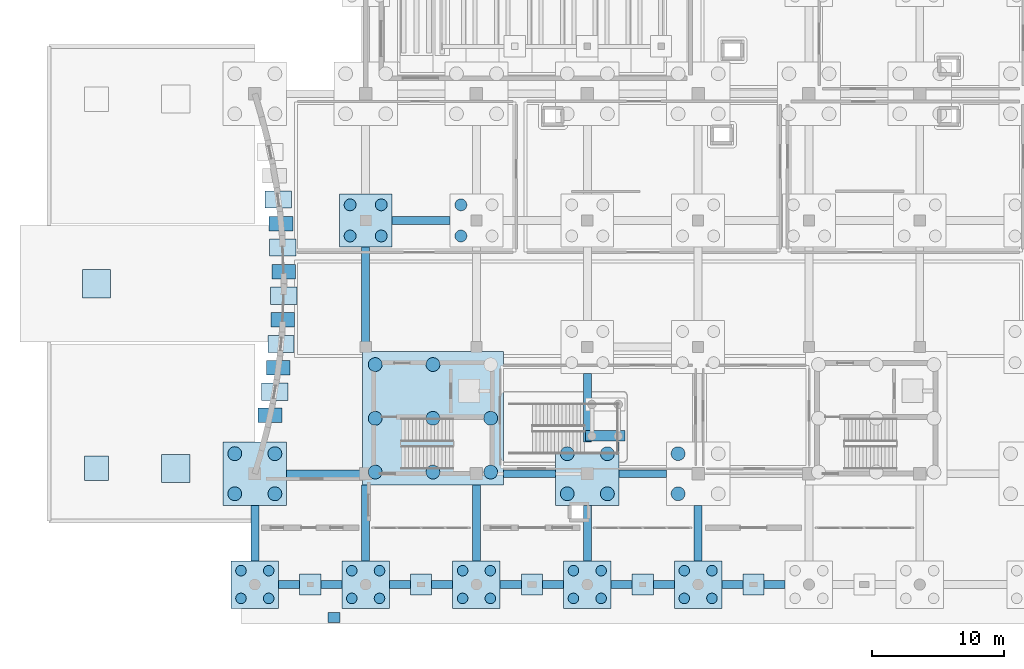
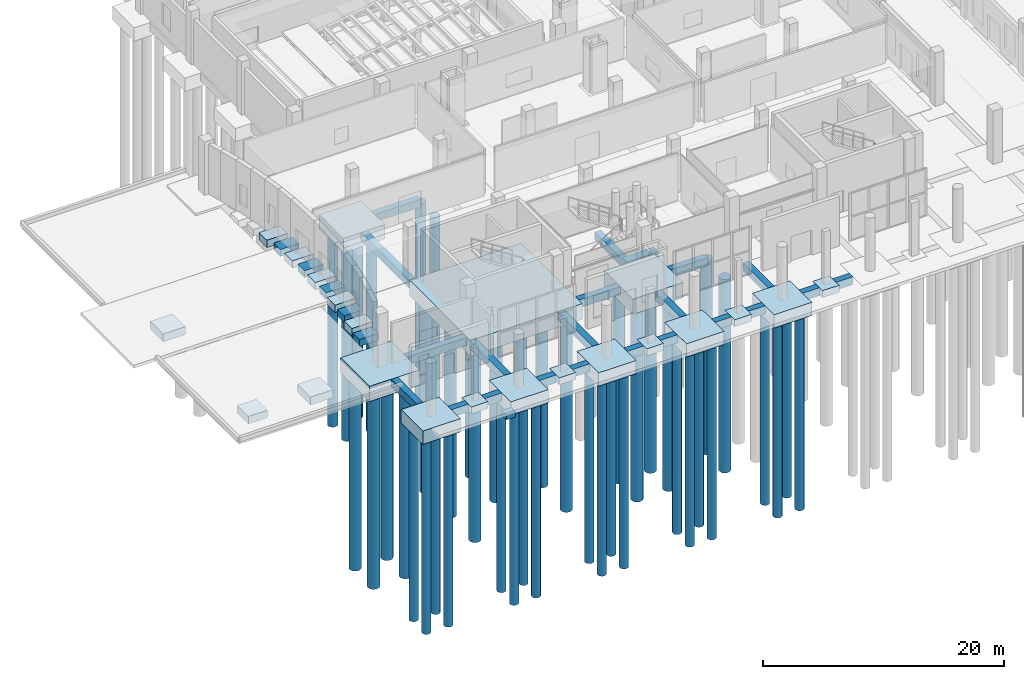
# One storey, part 1 of 65: 45 footings, 44 piles.
"""IFC4 building model written with IfcOpenShell, lengths in metres."""

from ifc_helpers import new_model, si_unit, direction, frame, origin, origin_2d, place, context, subcontext, project, spatial, polyline, circle, outline, extrude, material, layer, layer_set, material_profile, profile_set, type_object, element, save


model = new_model("IFC4")

# Units and contexts
model_context = context("Model", 3, precision=1e-05, world=origin(), true_north=direction((0.0, 1.0)))
body_context = subcontext(model_context, "Body", "Model", "MODEL_VIEW")
ifc_project = project(units=[si_unit("LENGTHUNIT", "METRE"), si_unit("AREAUNIT", "SQUARE_METRE"), si_unit("VOLUMEUNIT", "CUBIC_METRE"), si_unit("PLANEANGLEUNIT", "RADIAN"), si_unit("MASSUNIT", "GRAM", prefix="KILO")], contexts=[model_context])

# Site, building, storey
site_placement = place(None, origin())
site = spatial("IfcSite", under=ifc_project, at=site_placement, CompositionType="ELEMENT")
building_placement = place(site_placement, origin())
building = spatial("IfcBuilding", under=site, at=building_placement, Name="Zulmaris Art Gallery", CompositionType="ELEMENT")
storey_placement = place(building_placement, origin())
storey = spatial("IfcBuildingStorey", under=building, at=storey_placement, Name="L00", CompositionType="ELEMENT", Elevation=0.0)

# Footings
ifc_material = material(Name="Concrete C40/50", Category="concrete")
ifc_layer_1 = layer(ifc_material, 0.800048828125)
ifc_layer_set_1 = layer_set([ifc_layer_1], Name="Concrete C40/50")
footing_type_1 = type_object("IfcFootingType", Name="FTG-GB01", PredefinedType="FOOTING_BEAM", material=ifc_layer_set_1)
footing_1_placement = place(storey_placement, frame((0.0, 0.0, -0.800048828125)))
element("IfcFooting", 1, at=footing_1_placement, inside=storey, type_object=footing_type_1, Name="L00 ground tie beam X", PredefinedType="FOOTING_BEAM", context=body_context, shape_type="SweptSolid", body=[
    extrude(outline(polyline([(25.800048828125, 12.89990234375), (30.60009765625, 12.89990234375), (30.60009765625, 13.5), (25.800048828125, 13.5), (25.800048828125, 12.89990234375)])), origin(), (0.0, 0.0, 1.0), 0.800048828125),
])
footing_2_placement = place(storey_placement, frame((0.0, 0.0, -0.800048828125)))
element("IfcFooting", 2, at=footing_2_placement, inside=storey, type_object=footing_type_1, Name="L00 ground tie beam X", PredefinedType="FOOTING_BEAM", context=body_context, shape_type="SweptSolid", body=[
    extrude(outline(polyline([(34.199951171875, 12.89990234375), (39.0, 12.89990234375), (39.0, 13.5), (34.199951171875, 13.5), (34.199951171875, 12.89990234375)])), origin(), (0.0, 0.0, 1.0), 0.800048828125),
])
footing_3_placement = place(storey_placement, frame((0.0, 0.0, -0.800048828125)))
element("IfcFooting", 3, at=footing_3_placement, inside=storey, type_object=footing_type_1, Name="L00 ground tie beam X", PredefinedType="FOOTING_BEAM", context=body_context, shape_type="SweptSolid", body=[
    extrude(outline(polyline([(42.60009765625, 12.89990234375), (47.39990234375, 12.89990234375), (47.39990234375, 13.5), (42.60009765625, 13.5), (42.60009765625, 12.89990234375)])), origin(), (0.0, 0.0, 1.0), 0.800048828125),
])
footing_4_placement = place(storey_placement, frame((0.0, 0.0, -0.800048828125)))
element("IfcFooting", 4, at=footing_4_placement, inside=storey, type_object=footing_type_1, Name="L00 ground tie beam X", PredefinedType="FOOTING_BEAM", context=body_context, shape_type="SweptSolid", body=[
    extrude(outline(polyline([(51.0, 12.89990234375), (55.800048828125, 12.89990234375), (55.800048828125, 13.5), (51.0, 13.5), (51.0, 12.89990234375)])), origin(), (0.0, 0.0, 1.0), 0.800048828125),
])
footing_5_placement = place(storey_placement, frame((0.0, 0.0, -0.800048828125)))
element("IfcFooting", 5, at=footing_5_placement, inside=storey, type_object=footing_type_1, Name="L00 ground tie beam X", PredefinedType="FOOTING_BEAM", context=body_context, shape_type="SweptSolid", body=[
    extrude(outline(polyline([(59.39990234375, 12.89990234375), (64.199951171875, 12.89990234375), (64.199951171875, 13.5), (59.39990234375, 13.5), (59.39990234375, 12.89990234375)])), origin(), (0.0, 0.0, 1.0), 0.800048828125),
])
footing_6_placement = place(storey_placement, frame((0.0, 0.0, -0.800048828125)))
element("IfcFooting", 6, at=footing_6_placement, inside=storey, type_object=footing_type_1, Name="L00 ground tie beam X", PredefinedType="FOOTING_BEAM", context=body_context, shape_type="SweptSolid", body=[
    extrude(outline(polyline([(26.39990234375, 21.300048828125), (32.14990234375, 21.300048828125), (32.14990234375, 21.89990234375), (26.39990234375, 21.89990234375), (26.39990234375, 21.300048828125)])), origin(), (0.0, 0.0, 1.0), 0.800048828125),
])
footing_7_placement = place(storey_placement, frame((0.0, 0.0, -0.800048828125)))
element("IfcFooting", 7, at=footing_7_placement, inside=storey, type_object=footing_type_1, Name="L00 ground tie beam X", PredefinedType="FOOTING_BEAM", context=body_context, shape_type="SweptSolid", body=[
    extrude(outline(polyline([(42.85009765625, 21.300048828125), (46.800048828125, 21.300048828125), (46.800048828125, 21.89990234375), (42.85009765625, 21.89990234375), (42.85009765625, 21.300048828125)])), origin(), (0.0, 0.0, 1.0), 0.800048828125),
])
footing_8_placement = place(storey_placement, frame((0.0, 0.0, -0.800048828125)))
element("IfcFooting", 8, at=footing_8_placement, inside=storey, type_object=footing_type_1, Name="L00 ground tie beam X", PredefinedType="FOOTING_BEAM", context=body_context, shape_type="SweptSolid", body=[
    extrude(outline(polyline([(51.60009765625, 21.300048828125), (55.199951171875, 21.300048828125), (55.199951171875, 21.89990234375), (51.60009765625, 21.89990234375), (51.60009765625, 21.300048828125)])), origin(), (0.0, 0.0, 1.0), 0.800048828125),
])
footing_9_placement = place(storey_placement, frame((0.0, 0.0, -0.800048828125)))
element("IfcFooting", 9, at=footing_9_placement, inside=storey, type_object=footing_type_1, Name="L00 ground tie beam X", PredefinedType="FOOTING_BEAM", context=body_context, shape_type="SweptSolid", body=[
    extrude(outline(polyline([(34.39990234375, 40.5), (38.800048828125, 40.5), (38.800048828125, 41.10009765625), (34.39990234375, 41.10009765625), (34.39990234375, 40.5)])), origin(), (0.0, 0.0, 1.0), 0.800048828125),
])
footing_10_placement = place(storey_placement, frame((0.0, 0.0, -0.800048828125)))
element("IfcFooting", 10, at=footing_10_placement, inside=storey, type_object=footing_type_1, Name="L00 ground tie beam Y", PredefinedType="FOOTING_BEAM", context=body_context, shape_type="SweptSolid", body=[
    extrude(outline(polyline([(23.699951171875, 15.0), (24.300048828125, 15.0), (24.300048828125, 19.199951171875), (23.699951171875, 19.199951171875), (23.699951171875, 15.0)])), origin(), (0.0, 0.0, 1.0), 0.800048828125),
])
footing_11_placement = place(storey_placement, frame((0.0, 0.0, -0.800048828125)))
element("IfcFooting", 11, at=footing_11_placement, inside=storey, type_object=footing_type_1, Name="L00 ground tie beam Y", PredefinedType="FOOTING_BEAM", context=body_context, shape_type="SweptSolid", body=[
    extrude(outline(polyline([(32.10009765625, 15.0), (32.699951171875, 15.0), (32.699951171875, 20.75), (32.10009765625, 20.75), (32.10009765625, 15.0)])), origin(), (0.0, 0.0, 1.0), 0.800048828125),
])
footing_12_placement = place(storey_placement, frame((0.0, 0.0, -0.800048828125)))
element("IfcFooting", 12, at=footing_12_placement, inside=storey, type_object=footing_type_1, Name="L00 ground tie beam Y", PredefinedType="FOOTING_BEAM", context=body_context, shape_type="SweptSolid", body=[
    extrude(outline(polyline([(32.10009765625, 30.85009765625), (32.699951171875, 30.85009765625), (32.699951171875, 38.800048828125), (32.10009765625, 38.800048828125), (32.10009765625, 30.85009765625)])), origin(), (0.0, 0.0, 1.0), 0.800048828125),
])
footing_13_placement = place(storey_placement, frame((0.0, 0.0, -0.800048828125)))
element("IfcFooting", 13, at=footing_13_placement, inside=storey, type_object=footing_type_1, Name="L00 ground tie beam Y", PredefinedType="FOOTING_BEAM", context=body_context, shape_type="SweptSolid", body=[
    extrude(outline(polyline([(40.5, 15.0), (41.10009765625, 15.0), (41.10009765625, 20.75), (40.5, 20.75), (40.5, 15.0)])), origin(), (0.0, 0.0, 1.0), 0.800048828125),
])
footing_14_placement = place(storey_placement, frame((0.0, 0.0, -0.800048828125)))
element("IfcFooting", 14, at=footing_14_placement, inside=storey, type_object=footing_type_1, Name="L00 ground tie beam Y", PredefinedType="FOOTING_BEAM", context=body_context, shape_type="SweptSolid", body=[
    extrude(outline(polyline([(48.89990234375, 15.0), (49.5, 15.0), (49.5, 19.199951171875), (48.89990234375, 19.199951171875), (48.89990234375, 15.0)])), origin(), (0.0, 0.0, 1.0), 0.800048828125),
])
footing_15_placement = place(storey_placement, frame((0.0, 0.0, -0.800048828125)))
element("IfcFooting", 15, at=footing_15_placement, inside=storey, type_object=footing_type_1, Name="L00 ground tie beam Y", PredefinedType="FOOTING_BEAM", context=body_context, shape_type="SweptSolid", body=[
    extrude(outline(polyline([(48.89990234375, 24.0), (49.5, 24.0), (49.5, 29.199951171875), (48.89990234375, 29.199951171875), (48.89990234375, 24.0)])), origin(), (0.0, 0.0, 1.0), 0.800048828125),
])
footing_16_placement = place(storey_placement, frame((0.0, 0.0, -0.800048828125)))
element("IfcFooting", 16, at=footing_16_placement, inside=storey, type_object=footing_type_1, Name="L00 ground tie beam Y", PredefinedType="FOOTING_BEAM", context=body_context, shape_type="SweptSolid", body=[
    extrude(outline(polyline([(57.300048828125, 15.0), (57.89990234375, 15.0), (57.89990234375, 19.199951171875), (57.300048828125, 19.199951171875), (57.300048828125, 15.0)])), origin(), (0.0, 0.0, 1.0), 0.800048828125),
])
ifc_layer_2 = layer(ifc_material, 1.590087890625)
ifc_layer_set_2 = layer_set([ifc_layer_2], Name="Concrete C40/50")
footing_type_2 = type_object("IfcFootingType", Name="FTG-MAT-C1", PredefinedType="PILE_CAP", material=ifc_layer_set_2)
footing_17_placement = place(storey_placement, frame((0.0, 0.0, -1.590087890625)))
element("IfcFooting", 17, at=footing_17_placement, inside=storey, type_object=footing_type_2, Name="Core C1 pile cap", PredefinedType="PILE_CAP", context=body_context, shape_type="SweptSolid", body=[
    extrude(outline(polyline([(32.14990234375, 20.75), (42.85009765625, 20.75), (42.85009765625, 30.85009765625), (32.14990234375, 30.85009765625), (32.14990234375, 20.75)])), origin(), (0.0, 0.0, 1.0), 1.590087890625),
])
ifc_layer_3 = layer(ifc_material, 0.699951171875)
ifc_layer_set_3 = layer_set([ifc_layer_3], Name="Concrete C40/50")
footing_type_3 = type_object("IfcFootingType", Name="FTG-PAD01", PredefinedType="PAD_FOOTING", material=ifc_layer_set_3)
footing_18_placement = place(storey_placement, frame((0.0, 0.0, -0.699951171875)))
element("IfcFooting", 18, at=footing_18_placement, inside=storey, type_object=footing_type_3, Name="Colonnade pilaster footing 1", PredefinedType="PAD_FOOTING", context=body_context, shape_type="SweptSolid", body=[
    extrude(outline(polyline([(27.39990234375, 12.39990234375), (29.0, 12.39990234375), (29.0, 14.0), (27.39990234375, 14.0), (27.39990234375, 12.39990234375)])), origin(), (0.0, 0.0, 1.0), 0.699951171875),
])
footing_19_placement = place(storey_placement, frame((0.0, 0.0, -0.699951171875)))
element("IfcFooting", 19, at=footing_19_placement, inside=storey, type_object=footing_type_3, Name="Colonnade pilaster footing 2", PredefinedType="PAD_FOOTING", context=body_context, shape_type="SweptSolid", body=[
    extrude(outline(polyline([(35.800048828125, 12.39990234375), (37.39990234375, 12.39990234375), (37.39990234375, 14.0), (35.800048828125, 14.0), (35.800048828125, 12.39990234375)])), origin(), (0.0, 0.0, 1.0), 0.699951171875),
])
footing_20_placement = place(storey_placement, frame((0.0, 0.0, -0.699951171875)))
element("IfcFooting", 20, at=footing_20_placement, inside=storey, type_object=footing_type_3, Name="Colonnade pilaster footing 3", PredefinedType="PAD_FOOTING", context=body_context, shape_type="SweptSolid", body=[
    extrude(outline(polyline([(44.199951171875, 12.39990234375), (45.800048828125, 12.39990234375), (45.800048828125, 14.0), (44.199951171875, 14.0), (44.199951171875, 12.39990234375)])), origin(), (0.0, 0.0, 1.0), 0.699951171875),
])
footing_21_placement = place(storey_placement, frame((0.0, 0.0, -0.699951171875)))
element("IfcFooting", 21, at=footing_21_placement, inside=storey, type_object=footing_type_3, Name="Colonnade pilaster footing 4", PredefinedType="PAD_FOOTING", context=body_context, shape_type="SweptSolid", body=[
    extrude(outline(polyline([(52.60009765625, 12.39990234375), (54.199951171875, 12.39990234375), (54.199951171875, 14.0), (52.60009765625, 14.0), (52.60009765625, 12.39990234375)])), origin(), (0.0, 0.0, 1.0), 0.699951171875),
])
footing_22_placement = place(storey_placement, frame((0.0, 0.0, -0.699951171875)))
element("IfcFooting", 22, at=footing_22_placement, inside=storey, type_object=footing_type_3, Name="Colonnade pilaster footing 5", PredefinedType="PAD_FOOTING", context=body_context, shape_type="SweptSolid", body=[
    extrude(outline(polyline([(61.0, 12.39990234375), (62.60009765625, 12.39990234375), (62.60009765625, 14.0), (61.0, 14.0), (61.0, 12.39990234375)])), origin(), (0.0, 0.0, 1.0), 0.699951171875),
])
footing_23_placement = place(storey_placement, frame((0.0, 0.0, -0.699951171875)))
element("IfcFooting", 23, at=footing_23_placement, inside=storey, type_object=footing_type_3, Name="Grand stair ST6 landing combined pad footing 1", PredefinedType="PAD_FOOTING", context=body_context, shape_type="SweptSolid", body=[
    extrude(outline(polyline([(49.050048828125, 24.080078125), (52.050048828125, 24.080078125), (52.050048828125, 24.8798828125), (49.050048828125, 24.8798828125), (49.050048828125, 24.080078125)])), origin(), (0.0, 0.0, 1.0), 0.699951171875),
])
footing_24_placement = place(storey_placement, frame((0.0, 0.0, -0.800048828125)))
element("IfcFooting", 24, at=footing_24_placement, inside=storey, type_object=footing_type_3, Name="Exterior apron APR-SOUTH grade pad 1", PredefinedType="PAD_FOOTING", context=body_context, shape_type="SweptSolid", body=[
    extrude(outline(polyline([(29.550048828125, 10.320068359375), (30.449951171875, 10.320068359375), (30.449951171875, 11.080078125), (29.550048828125, 11.080078125), (29.550048828125, 10.320068359375)])), origin(), (0.0, 0.0, 1.0), 0.5),
])
ifc_layer_4 = layer(ifc_material, 0.75)
ifc_layer_set_4 = layer_set([ifc_layer_4], Name="Concrete C40/50")
footing_type_4 = type_object("IfcFootingType", Name="FTG-PAD02", PredefinedType="PAD_FOOTING", material=ifc_layer_set_4)
footing_25_placement = place(storey_placement, frame((0.0, 0.0, -1.25)))
element("IfcFooting", 25, at=footing_25_placement, inside=storey, type_object=footing_type_4, Name="Sculpture plinth pad footing 1", PredefinedType="PAD_FOOTING", context=body_context, shape_type="SweptSolid", body=[
    extrude(outline(polyline([(11.074951171875, 21.074951171875), (12.925048828125, 21.074951171875), (12.925048828125, 22.925048828125), (11.074951171875, 22.925048828125), (11.074951171875, 21.074951171875)])), origin(), (0.0, 0.0, 1.0), 0.75),
])
ifc_layer_5 = layer(ifc_material, 0.800048828125)
ifc_layer_set_5 = layer_set([ifc_layer_5], Name="Concrete C40/50")
footing_type_5 = type_object("IfcFootingType", Name="FTG-PAD03", PredefinedType="PAD_FOOTING", material=ifc_layer_set_5)
footing_26_placement = place(storey_placement, frame((0.0, 0.0, -1.300048828125)))
element("IfcFooting", 26, at=footing_26_placement, inside=storey, type_object=footing_type_5, Name="Sculpture plinth pad footing 2", PredefinedType="PAD_FOOTING", context=body_context, shape_type="SweptSolid", body=[
    extrude(outline(polyline([(10.925048828125, 34.925048828125), (13.074951171875, 34.925048828125), (13.074951171875, 37.074951171875), (10.925048828125, 37.074951171875), (10.925048828125, 34.925048828125)])), origin(), (0.0, 0.0, 1.0), 0.800048828125),
])
footing_27_placement = place(storey_placement, frame((0.0, 0.0, -1.300048828125)))
element("IfcFooting", 27, at=footing_27_placement, inside=storey, type_object=footing_type_5, Name="Sculpture plinth pad footing 4", PredefinedType="PAD_FOOTING", context=body_context, shape_type="SweptSolid", body=[
    extrude(outline(polyline([(16.925048828125, 20.925048828125), (19.074951171875, 20.925048828125), (19.074951171875, 23.074951171875), (16.925048828125, 23.074951171875), (16.925048828125, 20.925048828125)])), origin(), (0.0, 0.0, 1.0), 0.800048828125),
])
ifc_layer_6 = layer(ifc_material, 1.35009765625)
ifc_layer_set_6 = layer_set([ifc_layer_6], Name="Concrete C40/50")
footing_type_6 = type_object("IfcFootingType", Name="FTG-PC01", PredefinedType="PILE_CAP", material=ifc_layer_set_6)
footing_28_placement = place(storey_placement, frame((0.0, 0.0, -1.35009765625)))
element("IfcFooting", 28, at=footing_28_placement, inside=storey, type_object=footing_type_6, Name="L00 pile cap PC01 at (24.0, 13.2)", PredefinedType="PILE_CAP", context=body_context, shape_type="SweptSolid", body=[
    extrude(outline(polyline([(22.199951171875, 11.39990234375), (25.800048828125, 11.39990234375), (25.800048828125, 15.0), (22.199951171875, 15.0), (22.199951171875, 11.39990234375)])), origin(), (0.0, 0.0, 1.0), 1.35009765625),
])
footing_29_placement = place(storey_placement, frame((0.0, 0.0, -1.35009765625)))
element("IfcFooting", 29, at=footing_29_placement, inside=storey, type_object=footing_type_6, Name="L00 pile cap PC01 at (32.4, 13.2)", PredefinedType="PILE_CAP", context=body_context, shape_type="SweptSolid", body=[
    extrude(outline(polyline([(30.60009765625, 11.39990234375), (34.199951171875, 11.39990234375), (34.199951171875, 15.0), (30.60009765625, 15.0), (30.60009765625, 11.39990234375)])), origin(), (0.0, 0.0, 1.0), 1.35009765625),
])
footing_30_placement = place(storey_placement, frame((0.0, 0.0, -1.35009765625)))
element("IfcFooting", 30, at=footing_30_placement, inside=storey, type_object=footing_type_6, Name="L00 pile cap PC01 at (40.8, 13.2)", PredefinedType="PILE_CAP", context=body_context, shape_type="SweptSolid", body=[
    extrude(outline(polyline([(39.0, 11.39990234375), (42.60009765625, 11.39990234375), (42.60009765625, 15.0), (39.0, 15.0), (39.0, 11.39990234375)])), origin(), (0.0, 0.0, 1.0), 1.35009765625),
])
footing_31_placement = place(storey_placement, frame((0.0, 0.0, -1.35009765625)))
element("IfcFooting", 31, at=footing_31_placement, inside=storey, type_object=footing_type_6, Name="L00 pile cap PC01 at (49.2, 13.2)", PredefinedType="PILE_CAP", context=body_context, shape_type="SweptSolid", body=[
    extrude(outline(polyline([(47.39990234375, 11.39990234375), (51.0, 11.39990234375), (51.0, 15.0), (47.39990234375, 15.0), (47.39990234375, 11.39990234375)])), origin(), (0.0, 0.0, 1.0), 1.35009765625),
])
footing_32_placement = place(storey_placement, frame((0.0, 0.0, -1.35009765625)))
element("IfcFooting", 32, at=footing_32_placement, inside=storey, type_object=footing_type_6, Name="L00 pile cap PC01 at (57.6, 13.2)", PredefinedType="PILE_CAP", context=body_context, shape_type="SweptSolid", body=[
    extrude(outline(polyline([(55.800048828125, 11.39990234375), (59.39990234375, 11.39990234375), (59.39990234375, 15.0), (55.800048828125, 15.0), (55.800048828125, 11.39990234375)])), origin(), (0.0, 0.0, 1.0), 1.35009765625),
])
ifc_layer_7 = layer(ifc_material, 1.449951171875)
ifc_layer_set_7 = layer_set([ifc_layer_7], Name="Concrete C40/50")
footing_type_7 = type_object("IfcFootingType", Name="FTG-PC02", PredefinedType="PILE_CAP", material=ifc_layer_set_7)
footing_33_placement = place(storey_placement, frame((0.0, 0.0, -1.449951171875)))
element("IfcFooting", 33, at=footing_33_placement, inside=storey, type_object=footing_type_7, Name="L00 pile cap PC02 at (32.4, 40.8)", PredefinedType="PILE_CAP", context=body_context, shape_type="SweptSolid", body=[
    extrude(outline(polyline([(30.39990234375, 38.800048828125), (34.39990234375, 38.800048828125), (34.39990234375, 42.800048828125), (30.39990234375, 42.800048828125), (30.39990234375, 38.800048828125)])), origin(), (0.0, 0.0, 1.0), 1.449951171875),
])
ifc_layer_8 = layer(ifc_material, 1.550048828125)
ifc_layer_set_8 = layer_set([ifc_layer_8], Name="Concrete C40/50")
footing_type_8 = type_object("IfcFootingType", Name="FTG-PC03", PredefinedType="PILE_CAP", material=ifc_layer_set_8)
footing_34_placement = place(storey_placement, frame((0.0, 0.0, -1.550048828125)))
element("IfcFooting", 34, at=footing_34_placement, inside=storey, type_object=footing_type_8, Name="L00 pile cap PC03 at (24.0, 21.6)", PredefinedType="PILE_CAP", context=body_context, shape_type="SweptSolid", body=[
    extrude(outline(polyline([(21.60009765625, 19.199951171875), (26.39990234375, 19.199951171875), (26.39990234375, 24.0), (21.60009765625, 24.0), (21.60009765625, 19.199951171875)])), origin(), (0.0, 0.0, 1.0), 1.550048828125),
])
footing_35_placement = place(storey_placement, frame((0.0, 0.0, -1.550048828125)))
element("IfcFooting", 35, at=footing_35_placement, inside=storey, type_object=footing_type_8, Name="L00 pile cap PC03 at (49.2, 21.6)", PredefinedType="PILE_CAP", context=body_context, shape_type="SweptSolid", body=[
    extrude(outline(polyline([(46.800048828125, 19.199951171875), (51.60009765625, 19.199951171875), (51.60009765625, 24.0), (46.800048828125, 24.0), (46.800048828125, 19.199951171875)])), origin(), (0.0, 0.0, 1.0), 1.550048828125),
])
ifc_layer_9 = layer(ifc_material, 0.699951171875)
ifc_layer_set_9 = layer_set([ifc_layer_9], Name="Concrete C40/50")
footing_type_9 = type_object("IfcFootingType", Name="FTG-STR01", PredefinedType="STRIP_FOOTING", material=ifc_layer_set_9)
footing_36_placement = place(storey_placement, frame((0.0, 0.0, -0.699951171875)))
element("IfcFooting", 36, at=footing_36_placement, inside=storey, type_object=footing_type_9, Name="Scooped plinth strip footing 2", PredefinedType="STRIP_FOOTING", context=body_context, shape_type="SweptSolid", body=[
    extrude(outline(polyline([(24.253173828125, 25.47021484375), (26.052978515625, 25.47021484375), (26.052978515625, 26.5703125), (24.253173828125, 26.5703125), (24.253173828125, 25.47021484375)])), origin(), (0.0, 0.0, 1.0), 0.699951171875),
])
footing_37_placement = place(storey_placement, frame((0.0, 0.0, -0.699951171875)))
element("IfcFooting", 37, at=footing_37_placement, inside=storey, type_object=footing_type_9, Name="Scooped plinth strip footing 4", PredefinedType="STRIP_FOOTING", context=body_context, shape_type="SweptSolid", body=[
    extrude(outline(polyline([(24.87646484375, 29.071533203125), (26.676513671875, 29.071533203125), (26.676513671875, 30.17138671875), (24.87646484375, 30.17138671875), (24.87646484375, 29.071533203125)])), origin(), (0.0, 0.0, 1.0), 0.699951171875),
])
footing_38_placement = place(storey_placement, frame((0.0, 0.0, -0.699951171875)))
element("IfcFooting", 38, at=footing_38_placement, inside=storey, type_object=footing_type_9, Name="Scooped plinth strip footing 6", PredefinedType="STRIP_FOOTING", context=body_context, shape_type="SweptSolid", body=[
    extrude(outline(polyline([(25.223876953125, 32.709716796875), (27.02392578125, 32.709716796875), (27.02392578125, 33.809814453125), (25.223876953125, 33.809814453125), (25.223876953125, 32.709716796875)])), origin(), (0.0, 0.0, 1.0), 0.699951171875),
])
footing_39_placement = place(storey_placement, frame((0.0, 0.0, -0.699951171875)))
element("IfcFooting", 39, at=footing_39_placement, inside=storey, type_object=footing_type_9, Name="Scooped plinth strip footing 8", PredefinedType="STRIP_FOOTING", context=body_context, shape_type="SweptSolid", body=[
    extrude(outline(polyline([(25.29345703125, 36.36376953125), (27.093505859375, 36.36376953125), (27.093505859375, 37.4638671875), (25.29345703125, 37.4638671875), (25.29345703125, 36.36376953125)])), origin(), (0.0, 0.0, 1.0), 0.699951171875),
])
footing_40_placement = place(storey_placement, frame((0.0, 0.0, -0.699951171875)))
element("IfcFooting", 40, at=footing_40_placement, inside=storey, type_object=footing_type_9, Name="Scooped plinth strip footing 10", PredefinedType="STRIP_FOOTING", context=body_context, shape_type="SweptSolid", body=[
    extrude(outline(polyline([(25.084716796875, 40.0126953125), (26.884765625, 40.0126953125), (26.884765625, 41.112548828125), (25.084716796875, 41.112548828125), (25.084716796875, 40.0126953125)])), origin(), (0.0, 0.0, 1.0), 0.699951171875),
])
ifc_layer_10 = layer(ifc_material, 0.75)
ifc_layer_set_10 = layer_set([ifc_layer_10], Name="Concrete C40/50")
footing_type_10 = type_object("IfcFootingType", Name="FTG-STR02", PredefinedType="STRIP_FOOTING", material=ifc_layer_set_10)
footing_41_placement = place(storey_placement, frame((0.0, 0.0, -0.75)))
element("IfcFooting", 41, at=footing_41_placement, inside=storey, type_object=footing_type_10, Name="Scooped plinth strip footing 3", PredefinedType="STRIP_FOOTING", context=body_context, shape_type="SweptSolid", body=[
    extrude(outline(polyline([(24.4990234375, 27.1650390625), (26.4990234375, 27.1650390625), (26.4990234375, 28.465087890625), (24.4990234375, 28.465087890625), (24.4990234375, 27.1650390625)])), origin(), (0.0, 0.0, 1.0), 0.75),
])
footing_42_placement = place(storey_placement, frame((0.0, 0.0, -0.75)))
element("IfcFooting", 42, at=footing_42_placement, inside=storey, type_object=footing_type_10, Name="Scooped plinth strip footing 5", PredefinedType="STRIP_FOOTING", context=body_context, shape_type="SweptSolid", body=[
    extrude(outline(polyline([(24.98486328125, 30.787353515625), (26.98486328125, 30.787353515625), (26.98486328125, 32.08740234375), (24.98486328125, 32.08740234375), (24.98486328125, 30.787353515625)])), origin(), (0.0, 0.0, 1.0), 0.75),
])
footing_43_placement = place(storey_placement, frame((0.0, 0.0, -0.75)))
element("IfcFooting", 43, at=footing_43_placement, inside=storey, type_object=footing_type_10, Name="Scooped plinth strip footing 7", PredefinedType="STRIP_FOOTING", context=body_context, shape_type="SweptSolid", body=[
    extrude(outline(polyline([(25.193603515625, 34.436279296875), (27.193603515625, 34.436279296875), (27.193603515625, 35.736083984375), (25.193603515625, 35.736083984375), (25.193603515625, 34.436279296875)])), origin(), (0.0, 0.0, 1.0), 0.75),
])
footing_44_placement = place(storey_placement, frame((0.0, 0.0, -0.75)))
element("IfcFooting", 44, at=footing_44_placement, inside=storey, type_object=footing_type_10, Name="Scooped plinth strip footing 9", PredefinedType="STRIP_FOOTING", context=body_context, shape_type="SweptSolid", body=[
    extrude(outline(polyline([(25.123779296875, 38.09033203125), (27.123779296875, 38.09033203125), (27.123779296875, 39.390380859375), (25.123779296875, 39.390380859375), (25.123779296875, 38.09033203125)])), origin(), (0.0, 0.0, 1.0), 0.75),
])
footing_45_placement = place(storey_placement, frame((0.0, 0.0, -0.75)))
element("IfcFooting", 45, at=footing_45_placement, inside=storey, type_object=footing_type_10, Name="Scooped plinth strip footing 11", PredefinedType="STRIP_FOOTING", context=body_context, shape_type="SweptSolid", body=[
    extrude(outline(polyline([(24.776611328125, 41.728515625), (26.776611328125, 41.728515625), (26.776611328125, 43.0283203125), (24.776611328125, 43.0283203125), (24.776611328125, 41.728515625)])), origin(), (0.0, 0.0, 1.0), 0.75),
])

# Piles
ifc_material_profile_1 = material_profile(ifc_material, circle(Radius=0.52490234375, at=origin_2d()), Name="PILE DIA 1050")
ifc_profile_set_1 = profile_set([ifc_material_profile_1], Name="Concrete C40/50")
pile_type_1 = type_object("IfcPileType", Name="PILE-1050", PredefinedType="BORED", material=ifc_profile_set_1)
for number, where, z_axis, x_axis, name in (
    (46, (33.125, 21.72509765625, -1.489990234375), (0.0, 0.0, -1.0), (1.0, 0.0, 0.0), "Core C1 bored pile 1"),
    (47, (33.125, 25.800048828125, -1.489990234375), (0.0, 0.0, -1.0), (1.0, 0.0, 0.0), "Core C1 bored pile 2"),
    (48, (33.125, 29.875, -1.489990234375), (0.0, 0.0, -1.0), (1.0, 0.0, 0.0), "Core C1 bored pile 3"),
    (49, (37.5, 21.72509765625, -1.489990234375), (0.0, 0.0, -1.0), (1.0, 0.0, 0.0), "Core C1 bored pile 4"),
    (50, (37.5, 25.800048828125, -1.489990234375), (0.0, 0.0, -1.0), (1.0, 0.0, 0.0), "Core C1 bored pile 5"),
    (51, (37.5, 29.875, -1.489990234375), (0.0, 0.0, -1.0), (1.0, 0.0, 0.0), "Core C1 bored pile 6"),
    (52, (41.875, 21.72509765625, -1.489990234375), (0.0, 0.0, -1.0), (1.0, 0.0, 0.0), "Core C1 bored pile 7"),
    (53, (41.875, 25.800048828125, -1.489990234375), (0.0, 0.0, -1.0), (1.0, 0.0, 0.0), "Core C1 bored pile 8"),
):
    element("IfcPile", number, at=place(storey_placement, frame(where, z_axis=z_axis, x_axis=x_axis)), inside=storey, type_object=pile_type_1, Name=name, PredefinedType="BORED", context=body_context, shape_type="SweptSolid", body=[
        extrude(circle(Radius=0.52490234375, at=origin_2d()), origin(), (0.0, 0.0, 1.0), 19.510009765625),
    ])
for number, where, z_axis, x_axis, name in (
    (54, (22.47998046875, 20.080078125, -1.449951171875), (0.0, 0.0, -1.0), (1.0, 0.0, 0.0), "L00 bored pile 1 under FTG-CAP-L00-0240-216"),
    (55, (25.52001953125, 20.080078125, -1.449951171875), (0.0, 0.0, -1.0), (1.0, 0.0, 0.0), "L00 bored pile 2 under FTG-CAP-L00-0240-216"),
    (56, (22.47998046875, 23.1201171875, -1.449951171875), (0.0, 0.0, -1.0), (1.0, 0.0, 0.0), "L00 bored pile 3 under FTG-CAP-L00-0240-216"),
    (57, (25.52001953125, 23.1201171875, -1.449951171875), (0.0, 0.0, -1.0), (1.0, 0.0, 0.0), "L00 bored pile 4 under FTG-CAP-L00-0240-216"),
    (58, (47.679931640625, 20.080078125, -1.449951171875), (0.0, 0.0, -1.0), (1.0, 0.0, 0.0), "L00 bored pile 1 under FTG-CAP-L00-0492-216"),
    (59, (50.719970703125, 20.080078125, -1.449951171875), (0.0, 0.0, -1.0), (1.0, 0.0, 0.0), "L00 bored pile 2 under FTG-CAP-L00-0492-216"),
    (60, (47.679931640625, 23.1201171875, -1.449951171875), (0.0, 0.0, -1.0), (1.0, 0.0, 0.0), "L00 bored pile 3 under FTG-CAP-L00-0492-216"),
    (61, (50.719970703125, 23.1201171875, -1.449951171875), (0.0, 0.0, -1.0), (1.0, 0.0, 0.0), "L00 bored pile 4 under FTG-CAP-L00-0492-216"),
    (62, (56.080078125, 20.080078125, -1.449951171875), (0.0, 0.0, -1.0), (1.0, 0.0, 0.0), "L00 bored pile 1 under FTG-CAP-L00-0576-216"),
    (63, (56.080078125, 23.1201171875, -1.449951171875), (0.0, 0.0, -1.0), (1.0, 0.0, 0.0), "L00 bored pile 3 under FTG-CAP-L00-0576-216"),
):
    element("IfcPile", number, at=place(storey_placement, frame(where, z_axis=z_axis, x_axis=x_axis)), inside=storey, type_object=pile_type_1, Name=name, PredefinedType="BORED", context=body_context, shape_type="SweptSolid", body=[
        extrude(circle(Radius=0.52490234375, at=origin_2d()), origin(), (0.0, 0.0, 1.0), 19.550048828125),
    ])
ifc_material_profile_2 = material_profile(ifc_material, circle(Radius=0.39990234375, at=origin_2d()), Name="PILE DIA 800")
ifc_profile_set_2 = profile_set([ifc_material_profile_2], Name="Concrete C40/50")
pile_type_2 = type_object("IfcPileType", Name="PILE-800", PredefinedType="BORED", material=ifc_profile_set_2)
for number, where, z_axis, x_axis, name in (
    (64, (22.949951171875, 12.14990234375, -1.25), (0.0, 0.0, -1.0), (1.0, 0.0, 0.0), "L00 bored pile 1 under FTG-CAP-L00-0240-132"),
    (65, (25.050048828125, 12.14990234375, -1.25), (0.0, 0.0, -1.0), (1.0, 0.0, 0.0), "L00 bored pile 2 under FTG-CAP-L00-0240-132"),
    (66, (22.949951171875, 14.25, -1.25), (0.0, 0.0, -1.0), (1.0, 0.0, 0.0), "L00 bored pile 3 under FTG-CAP-L00-0240-132"),
    (67, (25.050048828125, 14.25, -1.25), (0.0, 0.0, -1.0), (1.0, 0.0, 0.0), "L00 bored pile 4 under FTG-CAP-L00-0240-132"),
    (68, (31.35009765625, 12.14990234375, -1.25), (0.0, 0.0, -1.0), (1.0, 0.0, 0.0), "L00 bored pile 1 under FTG-CAP-L00-0324-132"),
    (69, (33.449951171875, 12.14990234375, -1.25), (0.0, 0.0, -1.0), (1.0, 0.0, 0.0), "L00 bored pile 2 under FTG-CAP-L00-0324-132"),
    (70, (31.35009765625, 14.25, -1.25), (0.0, 0.0, -1.0), (1.0, 0.0, 0.0), "L00 bored pile 3 under FTG-CAP-L00-0324-132"),
    (71, (33.449951171875, 14.25, -1.25), (0.0, 0.0, -1.0), (1.0, 0.0, 0.0), "L00 bored pile 4 under FTG-CAP-L00-0324-132"),
    (72, (39.75, 12.14990234375, -1.25), (0.0, 0.0, -1.0), (1.0, 0.0, 0.0), "L00 bored pile 1 under FTG-CAP-L00-0408-132"),
    (73, (41.85009765625, 12.14990234375, -1.25), (0.0, 0.0, -1.0), (1.0, 0.0, 0.0), "L00 bored pile 2 under FTG-CAP-L00-0408-132"),
    (74, (39.75, 14.25, -1.25), (0.0, 0.0, -1.0), (1.0, 0.0, 0.0), "L00 bored pile 3 under FTG-CAP-L00-0408-132"),
    (75, (41.85009765625, 14.25, -1.25), (0.0, 0.0, -1.0), (1.0, 0.0, 0.0), "L00 bored pile 4 under FTG-CAP-L00-0408-132"),
    (76, (48.14990234375, 12.14990234375, -1.25), (0.0, 0.0, -1.0), (1.0, 0.0, 0.0), "L00 bored pile 1 under FTG-CAP-L00-0492-132"),
    (77, (50.25, 12.14990234375, -1.25), (0.0, 0.0, -1.0), (1.0, 0.0, 0.0), "L00 bored pile 2 under FTG-CAP-L00-0492-132"),
    (78, (48.14990234375, 14.25, -1.25), (0.0, 0.0, -1.0), (1.0, 0.0, 0.0), "L00 bored pile 3 under FTG-CAP-L00-0492-132"),
    (79, (50.25, 14.25, -1.25), (0.0, 0.0, -1.0), (1.0, 0.0, 0.0), "L00 bored pile 4 under FTG-CAP-L00-0492-132"),
    (80, (56.550048828125, 12.14990234375, -1.25), (0.0, 0.0, -1.0), (1.0, 0.0, 0.0), "L00 bored pile 1 under FTG-CAP-L00-0576-132"),
    (81, (58.64990234375, 12.14990234375, -1.25), (0.0, 0.0, -1.0), (1.0, 0.0, 0.0), "L00 bored pile 2 under FTG-CAP-L00-0576-132"),
    (82, (56.550048828125, 14.25, -1.25), (0.0, 0.0, -1.0), (1.0, 0.0, 0.0), "L00 bored pile 3 under FTG-CAP-L00-0576-132"),
    (83, (58.64990234375, 14.25, -1.25), (0.0, 0.0, -1.0), (1.0, 0.0, 0.0), "L00 bored pile 4 under FTG-CAP-L00-0576-132"),
):
    element("IfcPile", number, at=place(storey_placement, frame(where, z_axis=z_axis, x_axis=x_axis)), inside=storey, type_object=pile_type_2, Name=name, PredefinedType="BORED", context=body_context, shape_type="SweptSolid", body=[
        extrude(circle(Radius=0.39990234375, at=origin_2d()), origin(), (0.0, 0.0, 1.0), 19.75),
    ])
ifc_material_profile_3 = material_profile(ifc_material, circle(Radius=0.449951171875, at=origin_2d()), Name="PILE DIA 900")
ifc_profile_set_3 = profile_set([ifc_material_profile_3], Name="Concrete C40/50")
pile_type_3 = type_object("IfcPileType", Name="PILE-900", PredefinedType="BORED", material=ifc_profile_set_3)
for number, where, z_axis, x_axis, name in (
    (84, (31.219970703125, 39.6201171875, -1.35009765625), (0.0, 0.0, -1.0), (1.0, 0.0, 0.0), "L00 bored pile 1 under FTG-CAP-L00-0324-408"),
    (85, (33.580078125, 39.6201171875, -1.35009765625), (0.0, 0.0, -1.0), (1.0, 0.0, 0.0), "L00 bored pile 2 under FTG-CAP-L00-0324-408"),
    (86, (31.219970703125, 41.97998046875, -1.35009765625), (0.0, 0.0, -1.0), (1.0, 0.0, 0.0), "L00 bored pile 3 under FTG-CAP-L00-0324-408"),
    (87, (33.580078125, 41.97998046875, -1.35009765625), (0.0, 0.0, -1.0), (1.0, 0.0, 0.0), "L00 bored pile 4 under FTG-CAP-L00-0324-408"),
    (88, (39.6201171875, 39.6201171875, -1.35009765625), (0.0, 0.0, -1.0), (1.0, 0.0, 0.0), "L00 bored pile 1 under FTG-CAP-L00-0408-408"),
    (89, (39.6201171875, 41.97998046875, -1.35009765625), (0.0, 0.0, -1.0), (1.0, 0.0, 0.0), "L00 bored pile 3 under FTG-CAP-L00-0408-408"),
):
    element("IfcPile", number, at=place(storey_placement, frame(where, z_axis=z_axis, x_axis=x_axis)), inside=storey, type_object=pile_type_3, Name=name, PredefinedType="BORED", context=body_context, shape_type="SweptSolid", body=[
        extrude(circle(Radius=0.449951171875, at=origin_2d()), origin(), (0.0, 0.0, 1.0), 19.64990234375),
    ])

save(model, "model.ifc")
